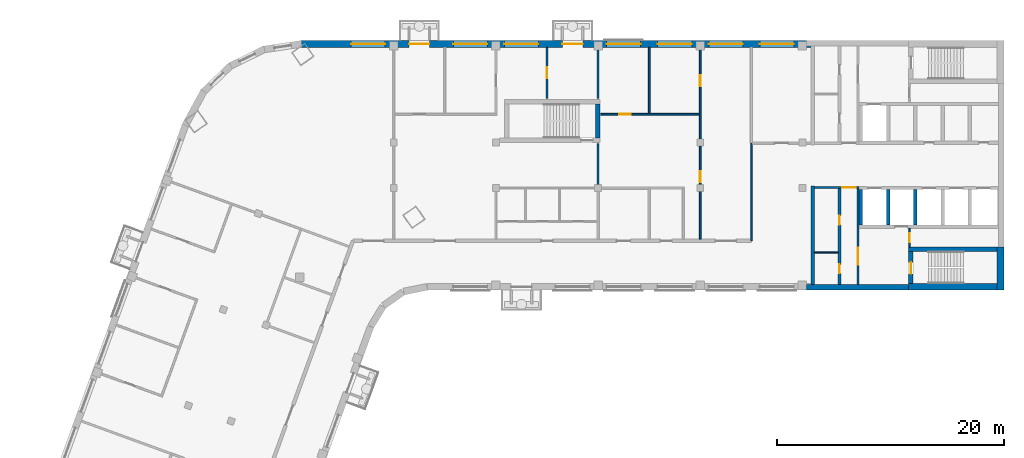
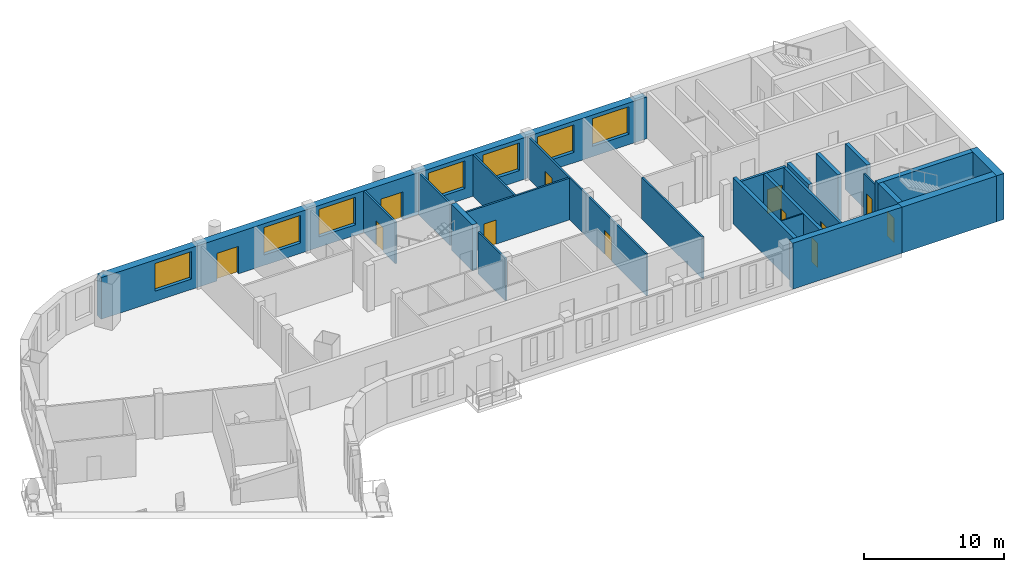
# One storey, part 5 of 10: 23 walls, 12 doors, 7 windows, 19 openings.
"""IFC4 building model written with IfcOpenShell, lengths in metres."""

from ifc_helpers import new_model, si_unit, direction, frame, frame_2d, origin, place, context, subcontext, project, spatial, rectangle, extrude, material, layer, layer_set, type_object, element, fill, save


model = new_model("IFC4")

# Units and contexts
model_context = context("Model", 3, precision=1e-05, world=origin(), true_north=direction((0.0, 1.0)))
body_context = subcontext(model_context, "Body", "Model", "MODEL_VIEW")
ifc_project = project(units=[si_unit("LENGTHUNIT", "METRE"), si_unit("AREAUNIT", "SQUARE_METRE"), si_unit("VOLUMEUNIT", "CUBIC_METRE"), si_unit("PLANEANGLEUNIT", "RADIAN"), si_unit("MASSUNIT", "GRAM", prefix="KILO")], contexts=[model_context])

# Site, building, storey
site_placement = place(None, origin())
site = spatial("IfcSite", under=ifc_project, at=site_placement, CompositionType="ELEMENT")
building_placement = place(site_placement, origin())
building = spatial("IfcBuilding", under=site, at=building_placement, Name="Skarvind Civic Tower", CompositionType="ELEMENT")
storey_placement = place(building_placement, frame((0.0, 0.0, 228.0)))
storey = spatial("IfcBuildingStorey", under=building, at=storey_placement, Name="L54", CompositionType="ELEMENT", Elevation=228.0)

# Wall, opening, door
ifc_material_1 = material(Name="Fire-rated masonry partition", Category="masonry")
ifc_layer_1 = layer(ifc_material_1, 0.199951171875)
ifc_layer_set_1 = layer_set([ifc_layer_1], Name="Core enclosure wall 200")
wall_type_1 = type_object("IfcWallType", Name="Core enclosure wall 200", PredefinedType="PARTITIONING", material=ifc_layer_set_1)
wall_1_placement = place(storey_placement, frame((95.25, 126.050048828125, 0.0), z_axis=(0.0, 0.0, 1.0), x_axis=(-1.0, 0.0, 0.0)))
wall_1 = element("IfcWall", 1, at=wall_1_placement, inside=storey, type_object=wall_type_1, Name="Core wall C1", PredefinedType="PARTITIONING", context=body_context, shape_type="SweptSolid", body=[
    extrude(rectangle(XDim=3.949951171875, YDim=0.199951171875, at=frame_2d((1.97509765625, 0.0))), origin(), (0.0, 0.0, 1.0), 3.625),
])
opening_1_placement = place(wall_1_placement, frame((0.300048828125, 0.0, 0.0)))
opening_1 = element("IfcOpeningElement", 2, at=opening_1_placement, cuts=wall_1, Name="Opening D-L54-C1-07", PredefinedType="OPENING", context=body_context, shape_type="SweptSolid", body=[
    extrude(rectangle(XDim=1.199951171875, YDim=2.10009765625, at=frame_2d((0.60009765625, 1.050048828125))), frame((0.0, 0.10986328125, 0.0), z_axis=(0.0, -1.0, 0.0), x_axis=(1.0, 0.0, 0.0)), (0.0, 0.0, 1.0), 0.219970703125),
])
ifc_material_2 = material(Name="Fire-rated steel door", Category="steel")
door_type_1 = type_object("IfcDoorType", Name="Core lobby door 1200", OperationType="NOTDEFINED", PredefinedType="DOOR", material=ifc_material_2)
door_1_placement = place(opening_1_placement, origin())
door_1 = element("IfcDoor", 3, at=door_1_placement, inside=storey, type_object=door_type_1, Name="Fire door", OperationType="DOUBLE_DOOR_SINGLE_SWING", OverallHeight=2.10009765625, OverallWidth=1.199951171875, PredefinedType="DOOR", context=body_context, shape_type="SweptSolid", body=[
    extrude(rectangle(XDim=1.199951171875, YDim=2.10009765625, at=frame_2d((0.60009765625, 1.050048828125))), frame((0.0, 0.02490234375, 0.0), z_axis=(0.0, -1.0, 0.0), x_axis=(1.0, 0.0, 0.0)), (0.0, 0.0, 1.0), 0.050048828125),
])
fill(opening_1, door_1)

wall_2_placement = place(storey_placement, frame((95.14990234375, 117.5, 0.0), z_axis=(0.0, 0.0, 1.0), x_axis=(0.0, 1.0, 0.0)))
wall_2 = element("IfcWall", 4, at=wall_2_placement, inside=storey, type_object=wall_type_1, Name="Core wall C1", PredefinedType="PARTITIONING", context=body_context, shape_type="SweptSolid", body=[
    extrude(rectangle(XDim=8.449951171875, YDim=0.199951171875, at=frame_2d((4.22509765625, 0.0))), origin(), (0.0, 0.0, 1.0), 3.625),
])
opening_2_placement = place(wall_2_placement, frame((1.72509765625, 0.0, 0.0)))
opening_2 = element("IfcOpeningElement", 5, at=opening_2_placement, cuts=wall_2, Name="Opening D-L54-C1-08", PredefinedType="OPENING", context=body_context, shape_type="SweptSolid", body=[
    extrude(rectangle(XDim=1.5, YDim=2.10009765625, at=frame_2d((0.75, 1.050048828125))), frame((0.0, 0.10986328125, 0.0), z_axis=(0.0, -1.0, 0.0), x_axis=(1.0, 0.0, 0.0)), (0.0, 0.0, 1.0), 0.219970703125),
])
door_type_2 = type_object("IfcDoorType", Name="Fire door 1500", OperationType="NOTDEFINED", PredefinedType="DOOR", material=ifc_material_2)
door_2_placement = place(opening_2_placement, origin())
door_2 = element("IfcDoor", 6, at=door_2_placement, inside=storey, type_object=door_type_2, Name="Fire door", OperationType="DOUBLE_DOOR_SINGLE_SWING", OverallHeight=2.10009765625, OverallWidth=1.5, PredefinedType="DOOR", context=body_context, shape_type="SweptSolid", body=[
    extrude(rectangle(XDim=1.5, YDim=2.10009765625, at=frame_2d((0.75, 1.050048828125))), frame((0.0, 0.02490234375, 0.0), z_axis=(0.0, -1.0, 0.0), x_axis=(1.0, 0.0, 0.0)), (0.0, 0.0, 1.0), 0.050048828125),
])
fill(opening_2, door_2)

# Walls
ifc_material_3 = material(Name="Fire-rated plasterboard partition")
ifc_layer_2 = layer(ifc_material_3, 0.10009765625)
ifc_layer_set_2 = layer_set([ifc_layer_2], Name="Core partition wall 100")
wall_type_2 = type_object("IfcWallType", Name="Core partition wall 100", PredefinedType="PARTITIONING", material=ifc_layer_set_2)
wall_3_placement = place(storey_placement, frame((93.39990234375, 120.320068359375, 0.0), z_axis=(0.0, 0.0, 1.0), x_axis=(-1.0, 0.0, 0.0)))
element("IfcWall", 7, at=wall_3_placement, inside=storey, type_object=wall_type_2, Name="Core wall C1", PredefinedType="PARTITIONING", context=body_context, shape_type="SweptSolid", body=[
    extrude(rectangle(XDim=2.099853515625, YDim=0.10009765625, at=frame_2d((1.0498046875, 0.0))), origin(), (0.0, 0.0, 1.0), 3.625),
])
ifc_material_4 = material(Name="Concrete C60", Category="concrete")
ifc_layer_3 = layer(ifc_material_4, 0.300048828125)
ifc_layer_set_3 = layer_set([ifc_layer_3], Name="Core wall 300 C60")
wall_type_3 = type_object("IfcWallType", Name="Core wall 300 C60", PredefinedType="SHEAR", material=ifc_layer_set_3)
for number, where, z_axis, x_axis, name in (
    (8, (100.199951171875, 125.85009765625, 0.0), (0.0, 0.0, 1.0), (0.0, -1.0, 0.0), "Core wall C1 north lift row division 3 L54"),
    (9, (97.800048828125, 125.85009765625, 0.0), (0.0, 0.0, 1.0), (0.0, -1.0, 0.0), "Core wall C1 north lift row division 4 L54"),
    (10, (95.39990234375, 125.85009765625, 0.0), (0.0, 0.0, 1.0), (0.0, -1.0, 0.0), "Core wall C1 north lift row division 5 L54"),
):
    element("IfcWall", number, at=place(storey_placement, frame(where, z_axis=z_axis, x_axis=x_axis)), inside=storey, type_object=wall_type_3, Name=name, PredefinedType="SHEAR", context=body_context, shape_type="SweptSolid", body=[
        extrude(rectangle(XDim=3.10009765625, YDim=0.300048828125, at=frame_2d((1.550048828125, 0.0))), origin(), (0.0, 0.0, 1.0), 4.0),
    ])
wall_4_placement = place(storey_placement, frame((91.14990234375, 126.199951171875, 0.0), z_axis=(0.0, 0.0, 1.0), x_axis=(0.0, -1.0, 0.0)))
element("IfcWall", 11, at=wall_4_placement, inside=storey, type_object=wall_type_3, Name="Core wall C1 north inner face L54", PredefinedType="SHEAR", context=body_context, shape_type="SweptSolid", body=[
    extrude(rectangle(XDim=8.699951171875, YDim=0.300048828125, at=frame_2d((4.35009765625, 0.0))), origin(), (0.0, 0.0, 1.0), 4.0),
])
ifc_layer_4 = layer(ifc_material_4, 0.39990234375)
ifc_layer_set_4 = layer_set([ifc_layer_4], Name="Core wall 400 C60")
wall_type_4 = type_object("IfcWallType", Name="Core wall 400 C60", PredefinedType="SHEAR", material=ifc_layer_set_4)
wall_5_placement = place(storey_placement, frame((107.39990234375, 120.60009765625, 0.0), z_axis=(0.0, 0.0, 1.0), x_axis=(-1.0, 0.0, 0.0)))
element("IfcWall", 12, at=wall_5_placement, inside=storey, type_object=wall_type_4, Name="Core wall C1 north stair inner L54", PredefinedType="SHEAR", context=body_context, shape_type="SweptSolid", body=[
    extrude(rectangle(XDim=7.7998046875, YDim=0.39990234375, at=frame_2d((3.89990234375, 0.0))), origin(), (0.0, 0.0, 1.0), 4.0),
])

# Wall, opening, door
wall_6_placement = place(storey_placement, frame((99.800048828125, 120.39990234375, 0.0), z_axis=(0.0, 0.0, 1.0), x_axis=(0.0, -1.0, 0.0)))
wall_6 = element("IfcWall", 13, at=wall_6_placement, inside=storey, type_object=wall_type_4, Name="Core wall C1 north stair end L54", PredefinedType="SHEAR", context=body_context, shape_type="SweptSolid", body=[
    extrude(rectangle(XDim=2.7998046875, YDim=0.39990234375, at=frame_2d((1.39990234375, 0.0))), origin(), (0.0, 0.0, 1.0), 4.0),
])
opening_3_placement = place(wall_6_placement, frame((0.949951171875, 0.0, 0.0)))
opening_3 = element("IfcOpeningElement", 14, at=opening_3_placement, cuts=wall_6, Name="Opening D-L54-C1-09", PredefinedType="OPENING", context=body_context, shape_type="SweptSolid", body=[
    extrude(rectangle(XDim=1.0, YDim=2.10009765625, at=frame_2d((0.5, 1.050048828125))), frame((0.0, 0.2099609375, 0.0), z_axis=(0.0, -1.0, 0.0), x_axis=(1.0, 0.0, 0.0)), (0.0, 0.0, 1.0), 0.419921875),
])
door_type_3 = type_object("IfcDoorType", Name="Fire door 1000", OperationType="NOTDEFINED", PredefinedType="DOOR", material=ifc_material_2)
door_3_placement = place(opening_3_placement, origin())
door_3 = element("IfcDoor", 15, at=door_3_placement, inside=storey, type_object=door_type_3, Name="Fire door", OperationType="SINGLE_SWING_LEFT", OverallHeight=2.10009765625, OverallWidth=1.0, PredefinedType="DOOR", context=body_context, shape_type="SweptSolid", body=[
    extrude(rectangle(XDim=1.0, YDim=2.10009765625, at=frame_2d((0.5, 1.050048828125))), frame((0.0, 0.02490234375, 0.0), z_axis=(0.0, -1.0, 0.0), x_axis=(1.0, 0.0, 0.0)), (0.0, 0.0, 1.0), 0.050048828125),
])
fill(opening_3, door_3)

# Walls
wall_7_placement = place(storey_placement, frame((72.199951171875, 130.39990234375, 0.0), z_axis=(0.0, 0.0, 1.0), x_axis=(0.0, 1.0, 0.0)))
element("IfcWall", 16, at=wall_7_placement, inside=storey, type_object=wall_type_4, Name="Core wall CM end L54", PredefinedType="SHEAR", context=body_context, shape_type="SweptSolid", body=[
    extrude(rectangle(XDim=3.0, YDim=0.39990234375, at=frame_2d((1.5, 0.0))), origin(), (0.0, 0.0, 1.0), 4.0),
])
ifc_layer_5 = layer(ifc_material_4, 0.5)
ifc_layer_set_5 = layer_set([ifc_layer_5], Name="Core wall 500 C60")
wall_type_5 = type_object("IfcWallType", Name="Core wall 500 C60", PredefinedType="SHEAR", material=ifc_layer_set_5)
wall_8_placement = place(storey_placement, frame((99.60009765625, 117.25, 0.0), z_axis=(0.0, 0.0, 1.0), x_axis=(-1.0, 0.0, 0.0)))
element("IfcWall", 17, at=wall_8_placement, inside=storey, type_object=wall_type_5, Name="Core wall C1 north side L54", PredefinedType="SHEAR", context=body_context, shape_type="SweptSolid", body=[
    extrude(rectangle(XDim=8.97509765625, YDim=0.5, at=frame_2d((4.487548828125, 0.0))), origin(), (0.0, 0.0, 1.0), 4.0),
])
ifc_layer_6 = layer(ifc_material_4, 0.60009765625)
ifc_layer_set_6 = layer_set([ifc_layer_6], Name="Core wall 600 C60")
wall_type_6 = type_object("IfcWallType", Name="Core wall 600 C60", PredefinedType="SHEAR", material=ifc_layer_set_6)
wall_9_placement = place(storey_placement, frame((107.699951171875, 120.800048828125, 0.0), z_axis=(0.0, 0.0, 1.0), x_axis=(0.0, -1.0, 0.0)))
element("IfcWall", 18, at=wall_9_placement, inside=storey, type_object=wall_type_6, Name="Core wall C1 tip at the north stair L54", PredefinedType="SHEAR", context=body_context, shape_type="SweptSolid", body=[
    extrude(rectangle(XDim=3.800048828125, YDim=0.60009765625, at=frame_2d((1.89990234375, 0.0))), origin(), (0.0, 0.0, 1.0), 4.0),
])
wall_10_placement = place(storey_placement, frame((107.39990234375, 117.300048828125, 0.0), z_axis=(0.0, 0.0, 1.0), x_axis=(-1.0, 0.0, 0.0)))
element("IfcWall", 19, at=wall_10_placement, inside=storey, type_object=wall_type_6, Name="Core wall C1 north side at the stair L54", PredefinedType="SHEAR", context=body_context, shape_type="SweptSolid", body=[
    extrude(rectangle(XDim=7.7998046875, YDim=0.60009765625, at=frame_2d((3.89990234375, 0.0))), origin(), (0.0, 0.0, 1.0), 4.0),
])

# Wall, opening, door
ifc_material_5 = material(Name="Plasterboard partition on steel studs", Category="steel")
ifc_layer_7 = layer(ifc_material_5, 0.14990234375)
ifc_layer_set_7 = layer_set([ifc_layer_7], Name="PARTITION 150")
wall_type_7 = type_object("IfcWallType", Name="PARTITION 150", PredefinedType="PARTITIONING", material=ifc_layer_set_7)
wall_11_placement = place(storey_placement, frame((67.75, 133.89990234375, 0.0), z_axis=(0.0, 0.0, 1.0), x_axis=(0.0, 1.0, 0.0)))
wall_11 = element("IfcWall", 20, at=wall_11_placement, inside=storey, type_object=wall_type_7, Name="Partition 54.025", PredefinedType="PARTITIONING", context=body_context, shape_type="SweptSolid", body=[
    extrude(rectangle(XDim=4.5, YDim=0.14990234375, at=frame_2d((2.25, 0.0))), origin(), (0.0, 0.0, 1.0), 3.625),
])
opening_4_placement = place(wall_11_placement, frame((1.75, 0.0, 0.0)))
opening_4 = element("IfcOpeningElement", 21, at=opening_4_placement, cuts=wall_11, Name="Opening L54-D011", PredefinedType="OPENING", context=body_context, shape_type="SweptSolid", body=[
    extrude(rectangle(XDim=1.0, YDim=2.10009765625, at=frame_2d((0.5, 1.050048828125))), frame((0.0, 0.0849609375, 0.0), z_axis=(0.0, -1.0, 0.0), x_axis=(1.0, 0.0, 0.0)), (0.0, 0.0, 1.0), 0.169921875),
])
ifc_material_6 = material(Name="Timber door leaf", Category="wood")
door_type_4 = type_object("IfcDoorType", Name="D1 1000x2100", OperationType="NOTDEFINED", PredefinedType="DOOR", material=ifc_material_6)
door_4_placement = place(opening_4_placement, origin())
door_4 = element("IfcDoor", 22, at=door_4_placement, inside=storey, type_object=door_type_4, Name="Door L54-D011", OperationType="SINGLE_SWING_LEFT", OverallHeight=2.10009765625, OverallWidth=1.0, PredefinedType="DOOR", context=body_context, shape_type="SweptSolid", body=[
    extrude(rectangle(XDim=1.0, YDim=2.10009765625, at=frame_2d((0.5, 1.050048828125))), frame((0.0, 0.02490234375, 0.0), z_axis=(0.0, -1.0, 0.0), x_axis=(1.0, 0.0, 0.0)), (0.0, 0.0, 1.0), 0.050048828125),
])
fill(opening_4, door_4)

# Walls
wall_12_placement = place(storey_placement, frame((72.25, 126.0, 0.0), z_axis=(0.0, 0.0, 1.0), x_axis=(0.0, 1.0, 0.0)))
element("IfcWall", 23, at=wall_12_placement, inside=storey, type_object=wall_type_7, Name="Partition 54.028", PredefinedType="PARTITIONING", context=body_context, shape_type="SweptSolid", body=[
    extrude(rectangle(XDim=3.89990234375, YDim=0.14990234375, at=frame_2d((1.949951171875, 0.0))), origin(), (0.0, 0.0, 1.0), 3.625),
])
wall_13_placement = place(storey_placement, frame((72.25, 133.89990234375, 0.0), z_axis=(0.0, 0.0, 1.0), x_axis=(0.0, 1.0, 0.0)))
element("IfcWall", 24, at=wall_13_placement, inside=storey, type_object=wall_type_7, Name="Partition 54.030", PredefinedType="PARTITIONING", context=body_context, shape_type="SweptSolid", body=[
    extrude(rectangle(XDim=4.5, YDim=0.14990234375, at=frame_2d((2.25, 0.0))), origin(), (0.0, 0.0, 1.0), 3.625),
])

# Wall, opening, door
wall_14_placement = place(storey_placement, frame((81.175048828125, 132.5, 0.0), z_axis=(0.0, 0.0, 1.0), x_axis=(-1.0, 0.0, 0.0)))
wall_14 = element("IfcWall", 25, at=wall_14_placement, inside=storey, type_object=wall_type_7, Name="Partition 54.031", PredefinedType="PARTITIONING", context=body_context, shape_type="SweptSolid", body=[
    extrude(rectangle(XDim=8.675048828125, YDim=0.14990234375, at=frame_2d((4.33740234375, 0.0))), origin(), (0.0, 0.0, 1.0), 3.625),
])
opening_5_placement = place(wall_14_placement, frame((6.050048828125, 0.0, 0.0)))
opening_5 = element("IfcOpeningElement", 26, at=opening_5_placement, cuts=wall_14, Name="Opening L54-D005", PredefinedType="OPENING", context=body_context, shape_type="SweptSolid", body=[
    extrude(rectangle(XDim=1.0, YDim=2.10009765625, at=frame_2d((0.5, 1.050048828125))), frame((0.0, 0.0849609375, 0.0), z_axis=(0.0, -1.0, 0.0), x_axis=(1.0, 0.0, 0.0)), (0.0, 0.0, 1.0), 0.169921875),
])
door_5_placement = place(opening_5_placement, origin())
door_5 = element("IfcDoor", 27, at=door_5_placement, inside=storey, type_object=door_type_4, Name="Door L54-D005", OperationType="SINGLE_SWING_RIGHT", OverallHeight=2.10009765625, OverallWidth=1.0, PredefinedType="DOOR", context=body_context, shape_type="SweptSolid", body=[
    extrude(rectangle(XDim=1.0, YDim=2.10009765625, at=frame_2d((0.5, 1.050048828125))), frame((0.0, 0.02490234375, 0.0), z_axis=(0.0, -1.0, 0.0), x_axis=(1.0, 0.0, 0.0)), (0.0, 0.0, 1.0), 0.050048828125),
])
fill(opening_5, door_5)

# Wall
wall_15_placement = place(storey_placement, frame((76.75, 132.574951171875, 0.0), z_axis=(0.0, 0.0, 1.0), x_axis=(0.0, 1.0, 0.0)))
element("IfcWall", 28, at=wall_15_placement, inside=storey, type_object=wall_type_7, Name="Partition 54.033", PredefinedType="PARTITIONING", context=body_context, shape_type="SweptSolid", body=[
    extrude(rectangle(XDim=5.824951171875, YDim=0.14990234375, at=frame_2d((2.91259765625, 0.0))), origin(), (0.0, 0.0, 1.0), 3.625),
])

# Wall, openings, doors
wall_16_placement = place(storey_placement, frame((81.25, 138.39990234375, 0.0), z_axis=(0.0, 0.0, 1.0), x_axis=(0.0, -1.0, 0.0)))
wall_16 = element("IfcWall", 29, at=wall_16_placement, inside=storey, type_object=wall_type_7, Name="Partition 54.036", PredefinedType="PARTITIONING", context=body_context, shape_type="SweptSolid", body=[
    extrude(rectangle(XDim=16.89990234375, YDim=0.14990234375, at=frame_2d((8.449951171875, 0.0))), origin(), (0.0, 0.0, 1.0), 3.625),
])
opening_6_placement = place(wall_16_placement, frame((2.449951171875, 0.0, 0.0)))
opening_6 = element("IfcOpeningElement", 30, at=opening_6_placement, cuts=wall_16, Name="Opening L54-D004", PredefinedType="OPENING", context=body_context, shape_type="SweptSolid", body=[
    extrude(rectangle(XDim=1.0, YDim=2.10009765625, at=frame_2d((0.5, 1.050048828125))), frame((0.0, 0.0849609375, 0.0), z_axis=(0.0, -1.0, 0.0), x_axis=(1.0, 0.0, 0.0)), (0.0, 0.0, 1.0), 0.169921875),
])
opening_7_placement = place(wall_16_placement, frame((10.909912109375, 0.0, 0.0)))
opening_7 = element("IfcOpeningElement", 31, at=opening_7_placement, cuts=wall_16, Name="Opening L54-D023", PredefinedType="OPENING", context=body_context, shape_type="SweptSolid", body=[
    extrude(rectangle(XDim=1.0, YDim=2.10009765625, at=frame_2d((0.5, 1.050048828125))), frame((0.0, 0.0849609375, 0.0), z_axis=(0.0, -1.0, 0.0), x_axis=(1.0, 0.0, 0.0)), (0.0, 0.0, 1.0), 0.169921875),
])
door_6_placement = place(opening_6_placement, origin())
door_6 = element("IfcDoor", 32, at=door_6_placement, inside=storey, type_object=door_type_4, Name="Door L54-D004", OperationType="SINGLE_SWING_LEFT", OverallHeight=2.10009765625, OverallWidth=1.0, PredefinedType="DOOR", context=body_context, shape_type="SweptSolid", body=[
    extrude(rectangle(XDim=1.0, YDim=2.10009765625, at=frame_2d((0.5, 1.050048828125))), frame((0.0, 0.02490234375, 0.0), z_axis=(0.0, -1.0, 0.0), x_axis=(1.0, 0.0, 0.0)), (0.0, 0.0, 1.0), 0.050048828125),
])
fill(opening_6, door_6)
door_7_placement = place(opening_7_placement, origin())
door_7 = element("IfcDoor", 33, at=door_7_placement, inside=storey, type_object=door_type_4, Name="Door L54-D023", OperationType="SINGLE_SWING_RIGHT", OverallHeight=2.10009765625, OverallWidth=1.0, PredefinedType="DOOR", context=body_context, shape_type="SweptSolid", body=[
    extrude(rectangle(XDim=1.0, YDim=2.10009765625, at=frame_2d((0.5, 1.050048828125))), frame((0.0, 0.02490234375, 0.0), z_axis=(0.0, -1.0, 0.0), x_axis=(1.0, 0.0, 0.0)), (0.0, 0.0, 1.0), 0.050048828125),
])
fill(opening_7, door_7)

# Wall
wall_17_placement = place(storey_placement, frame((85.75, 121.35009765625, 0.0), z_axis=(0.0, 0.0, 1.0), x_axis=(0.0, 1.0, 0.0)))
element("IfcWall", 34, at=wall_17_placement, inside=storey, type_object=wall_type_7, Name="Partition 54.037", PredefinedType="PARTITIONING", context=body_context, shape_type="SweptSolid", body=[
    extrude(rectangle(XDim=8.599853515625, YDim=0.14990234375, at=frame_2d((4.2998046875, 0.0))), origin(), (0.0, 0.0, 1.0), 3.625),
])

# Wall, opening, door
ifc_layer_8 = layer(ifc_material_1, 0.125)
ifc_layer_set_8 = layer_set([ifc_layer_8], Name="Riser wall 125")
wall_type_8 = type_object("IfcWallType", Name="Riser wall 125", PredefinedType="PARTITIONING", material=ifc_layer_set_8)
wall_18_placement = place(storey_placement, frame((99.66259765625, 120.800048828125, 0.0), z_axis=(0.0, 0.0, 1.0), x_axis=(0.0, 1.0, 0.0)))
wall_18 = element("IfcWall", 35, at=wall_18_placement, inside=storey, type_object=wall_type_8, Name="Core wall C1", PredefinedType="PARTITIONING", context=body_context, shape_type="SweptSolid", body=[
    extrude(rectangle(XDim=1.64990234375, YDim=0.125, at=frame_2d((0.824951171875, 0.0))), origin(), (0.0, 0.0, 1.0), 3.625),
])
opening_8_placement = place(wall_18_placement, frame((0.425048828125, 0.0, 0.0)))
opening_8 = element("IfcOpeningElement", 36, at=opening_8_placement, cuts=wall_18, Name="Opening D-L54-C1-10", PredefinedType="OPENING", context=body_context, shape_type="SweptSolid", body=[
    extrude(rectangle(XDim=0.800048828125, YDim=2.10009765625, at=frame_2d((0.39990234375, 1.050048828125))), frame((0.0, 0.072509765625, 0.0), z_axis=(0.0, -1.0, 0.0), x_axis=(1.0, 0.0, 0.0)), (0.0, 0.0, 1.0), 0.14501953125),
])
door_type_5 = type_object("IfcDoorType", Name="Core riser door 800", OperationType="NOTDEFINED", PredefinedType="DOOR", material=ifc_material_2)
door_8_placement = place(opening_8_placement, origin())
door_8 = element("IfcDoor", 37, at=door_8_placement, inside=storey, type_object=door_type_5, Name="Riser door", OperationType="SINGLE_SWING_RIGHT", OverallHeight=2.10009765625, OverallWidth=0.800048828125, PredefinedType="DOOR", context=body_context, shape_type="SweptSolid", body=[
    extrude(rectangle(XDim=0.800048828125, YDim=2.10009765625, at=frame_2d((0.39990234375, 1.050048828125))), frame((0.0, 0.02490234375, 0.0), z_axis=(0.0, -1.0, 0.0), x_axis=(1.0, 0.0, 0.0)), (0.0, 0.0, 1.0), 0.050048828125),
])
fill(opening_8, door_8)

# Wall, openings, doors
ifc_layer_9 = layer(ifc_material_1, 0.25)
ifc_layer_set_9 = layer_set([ifc_layer_9], Name="Service block wall 250")
wall_type_9 = type_object("IfcWallType", Name="Service block wall 250", PredefinedType="PARTITIONING", material=ifc_layer_set_9)
wall_19_placement = place(storey_placement, frame((93.52490234375, 117.5, 0.0), z_axis=(0.0, 0.0, 1.0), x_axis=(0.0, 1.0, 0.0)))
wall_19 = element("IfcWall", 38, at=wall_19_placement, inside=storey, type_object=wall_type_9, Name="Core wall C1", PredefinedType="PARTITIONING", context=body_context, shape_type="SweptSolid", body=[
    extrude(rectangle(XDim=8.449951171875, YDim=0.25, at=frame_2d((4.22509765625, 0.0))), origin(), (0.0, 0.0, 1.0), 3.625),
])
opening_9_placement = place(wall_19_placement, frame((5.260009765625, 0.0, 0.0)))
opening_9 = element("IfcOpeningElement", 39, at=opening_9_placement, cuts=wall_19, Name="Opening D-L54-C1-11", PredefinedType="OPENING", context=body_context, shape_type="SweptSolid", body=[
    extrude(rectangle(XDim=0.800048828125, YDim=2.10009765625, at=frame_2d((0.39990234375, 1.050048828125))), frame((0.0, 0.135009765625, 0.0), z_axis=(0.0, -1.0, 0.0), x_axis=(1.0, 0.0, 0.0)), (0.0, 0.0, 1.0), 0.27001953125),
])
opening_10_placement = place(wall_19_placement, frame((0.985107421875, 0.0, 0.0)))
opening_10 = element("IfcOpeningElement", 40, at=opening_10_placement, cuts=wall_19, Name="Opening D-L54-C1-12", PredefinedType="OPENING", context=body_context, shape_type="SweptSolid", body=[
    extrude(rectangle(XDim=0.800048828125, YDim=2.10009765625, at=frame_2d((0.39990234375, 1.050048828125))), frame((0.0, 0.135009765625, 0.0), z_axis=(0.0, -1.0, 0.0), x_axis=(1.0, 0.0, 0.0)), (0.0, 0.0, 1.0), 0.27001953125),
])
door_9_placement = place(opening_9_placement, origin())
door_9 = element("IfcDoor", 41, at=door_9_placement, inside=storey, type_object=door_type_5, Name="Riser door", OperationType="SINGLE_SWING_LEFT", OverallHeight=2.10009765625, OverallWidth=0.800048828125, PredefinedType="DOOR", context=body_context, shape_type="SweptSolid", body=[
    extrude(rectangle(XDim=0.800048828125, YDim=2.10009765625, at=frame_2d((0.39990234375, 1.050048828125))), frame((0.0, 0.02490234375, 0.0), z_axis=(0.0, -1.0, 0.0), x_axis=(1.0, 0.0, 0.0)), (0.0, 0.0, 1.0), 0.050048828125),
])
fill(opening_9, door_9)
door_10_placement = place(opening_10_placement, origin())
door_10 = element("IfcDoor", 42, at=door_10_placement, inside=storey, type_object=door_type_5, Name="Riser door", OperationType="SINGLE_SWING_RIGHT", OverallHeight=2.10009765625, OverallWidth=0.800048828125, PredefinedType="DOOR", context=body_context, shape_type="SweptSolid", body=[
    extrude(rectangle(XDim=0.800048828125, YDim=2.10009765625, at=frame_2d((0.39990234375, 1.050048828125))), frame((0.0, 0.02490234375, 0.0), z_axis=(0.0, -1.0, 0.0), x_axis=(1.0, 0.0, 0.0)), (0.0, 0.0, 1.0), 0.050048828125),
])
fill(opening_10, door_10)

# Wall, openings, doors, windows
ifc_material_7 = material(Name="Limestone masonry cladding on insulated backing", Category="masonry")
ifc_layer_10 = layer(ifc_material_7, 0.60009765625)
ifc_layer_set_10 = layer_set([ifc_layer_10], Name="WX1 STONE FACADE WALL 600")
wall_type_10 = type_object("IfcWallType", Name="WX1 STONE FACADE WALL 600", PredefinedType="SOLIDWALL", material=ifc_layer_set_10)
wall_20_placement = place(storey_placement, frame((46.095458984375, 138.699951171875, 0.0), z_axis=(0.0, 0.0, 1.0), x_axis=(1.0, 0.0, 0.0)))
wall_20 = element("IfcWall", 43, at=wall_20_placement, inside=storey, type_object=wall_type_10, Name="STONE FACADE WALL", PredefinedType="SOLIDWALL", context=body_context, shape_type="SweptSolid", body=[
    extrude(rectangle(XDim=44.884521484375, YDim=0.60009765625, at=frame_2d((22.4423828125, 0.0))), origin(), (0.0, 0.0, 1.0), 3.625),
])
opening_11_placement = place(wall_20_placement, frame((4.404541015625, 0.0, 0.89990234375)))
opening_11 = element("IfcOpeningElement", 44, at=opening_11_placement, cuts=wall_20, Name="Opening WN1", PredefinedType="OPENING", context=body_context, shape_type="SweptSolid", body=[
    extrude(rectangle(XDim=3.0, YDim=2.39990234375, at=frame_2d((1.5, 1.199951171875))), frame((0.0, 0.31005859375, 0.0), z_axis=(0.0, -1.0, 0.0), x_axis=(1.0, 0.0, 0.0)), (0.0, 0.0, 1.0), 0.6201171875),
])
opening_12_placement = place(wall_20_placement, frame((9.50439453125, 0.0, 0.0)))
opening_12 = element("IfcOpeningElement", 45, at=opening_12_placement, cuts=wall_20, Name="Opening DX3", PredefinedType="OPENING", context=body_context, shape_type="SweptSolid", body=[
    extrude(rectangle(XDim=1.800048828125, YDim=2.39990234375, at=frame_2d((0.89990234375, 1.199951171875))), frame((0.0, 0.31005859375, 0.0), z_axis=(0.0, -1.0, 0.0), x_axis=(1.0, 0.0, 0.0)), (0.0, 0.0, 1.0), 0.6201171875),
])
opening_13_placement = place(wall_20_placement, frame((13.404541015625, 0.0, 0.89990234375)))
opening_13 = element("IfcOpeningElement", 46, at=opening_13_placement, cuts=wall_20, Name="Opening WN1", PredefinedType="OPENING", context=body_context, shape_type="SweptSolid", body=[
    extrude(rectangle(XDim=3.0, YDim=2.39990234375, at=frame_2d((1.5, 1.199951171875))), frame((0.0, 0.31005859375, 0.0), z_axis=(0.0, -1.0, 0.0), x_axis=(1.0, 0.0, 0.0)), (0.0, 0.0, 1.0), 0.6201171875),
])
opening_14_placement = place(wall_20_placement, frame((17.904541015625, 0.0, 0.89990234375)))
opening_14 = element("IfcOpeningElement", 47, at=opening_14_placement, cuts=wall_20, Name="Opening WN1", PredefinedType="OPENING", context=body_context, shape_type="SweptSolid", body=[
    extrude(rectangle(XDim=3.0, YDim=2.39990234375, at=frame_2d((1.5, 1.199951171875))), frame((0.0, 0.31005859375, 0.0), z_axis=(0.0, -1.0, 0.0), x_axis=(1.0, 0.0, 0.0)), (0.0, 0.0, 1.0), 0.6201171875),
])
opening_15_placement = place(wall_20_placement, frame((23.00439453125, 0.0, 0.0)))
opening_15 = element("IfcOpeningElement", 48, at=opening_15_placement, cuts=wall_20, Name="Opening DX3", PredefinedType="OPENING", context=body_context, shape_type="SweptSolid", body=[
    extrude(rectangle(XDim=1.800048828125, YDim=2.39990234375, at=frame_2d((0.89990234375, 1.199951171875))), frame((0.0, 0.31005859375, 0.0), z_axis=(0.0, -1.0, 0.0), x_axis=(1.0, 0.0, 0.0)), (0.0, 0.0, 1.0), 0.6201171875),
])
opening_16_placement = place(wall_20_placement, frame((26.904541015625, 0.0, 0.89990234375)))
opening_16 = element("IfcOpeningElement", 49, at=opening_16_placement, cuts=wall_20, Name="Opening WN1", PredefinedType="OPENING", context=body_context, shape_type="SweptSolid", body=[
    extrude(rectangle(XDim=3.0, YDim=2.39990234375, at=frame_2d((1.5, 1.199951171875))), frame((0.0, 0.31005859375, 0.0), z_axis=(0.0, -1.0, 0.0), x_axis=(1.0, 0.0, 0.0)), (0.0, 0.0, 1.0), 0.6201171875),
])
opening_17_placement = place(wall_20_placement, frame((31.404541015625, 0.0, 0.89990234375)))
opening_17 = element("IfcOpeningElement", 50, at=opening_17_placement, cuts=wall_20, Name="Opening WN1", PredefinedType="OPENING", context=body_context, shape_type="SweptSolid", body=[
    extrude(rectangle(XDim=3.0, YDim=2.39990234375, at=frame_2d((1.5, 1.199951171875))), frame((0.0, 0.31005859375, 0.0), z_axis=(0.0, -1.0, 0.0), x_axis=(1.0, 0.0, 0.0)), (0.0, 0.0, 1.0), 0.6201171875),
])
opening_18_placement = place(wall_20_placement, frame((35.904541015625, 0.0, 0.89990234375)))
opening_18 = element("IfcOpeningElement", 51, at=opening_18_placement, cuts=wall_20, Name="Opening WN1", PredefinedType="OPENING", context=body_context, shape_type="SweptSolid", body=[
    extrude(rectangle(XDim=3.0, YDim=2.39990234375, at=frame_2d((1.5, 1.199951171875))), frame((0.0, 0.31005859375, 0.0), z_axis=(0.0, -1.0, 0.0), x_axis=(1.0, 0.0, 0.0)), (0.0, 0.0, 1.0), 0.6201171875),
])
opening_19_placement = place(wall_20_placement, frame((40.404541015625, 0.0, 0.89990234375)))
opening_19 = element("IfcOpeningElement", 52, at=opening_19_placement, cuts=wall_20, Name="Opening WN1", PredefinedType="OPENING", context=body_context, shape_type="SweptSolid", body=[
    extrude(rectangle(XDim=3.0, YDim=2.39990234375, at=frame_2d((1.5, 1.199951171875))), frame((0.0, 0.31005859375, 0.0), z_axis=(0.0, -1.0, 0.0), x_axis=(1.0, 0.0, 0.0)), (0.0, 0.0, 1.0), 0.6201171875),
])
ifc_material_8 = material(Name="Timber and glass doorset", Category="wood")
door_type_6 = type_object("IfcDoorType", Name="DX3 TERRACE DOORS 1800 x 2400", OperationType="NOTDEFINED", PredefinedType="DOOR", material=ifc_material_8)
door_11_placement = place(opening_12_placement, origin())
door_11 = element("IfcDoor", 53, at=door_11_placement, inside=storey, type_object=door_type_6, Name="TERRACE DOORS", OperationType="DOUBLE_DOOR_SINGLE_SWING", OverallHeight=2.39990234375, OverallWidth=1.800048828125, PredefinedType="DOOR", context=body_context, shape_type="SweptSolid", body=[
    extrude(rectangle(XDim=1.800048828125, YDim=2.39990234375, at=frame_2d((0.89990234375, 1.199951171875))), frame((0.0, 0.02490234375, 0.0), z_axis=(0.0, -1.0, 0.0), x_axis=(1.0, 0.0, 0.0)), (0.0, 0.0, 1.0), 0.050048828125),
])
fill(opening_12, door_11)
door_12_placement = place(opening_15_placement, origin())
door_12 = element("IfcDoor", 54, at=door_12_placement, inside=storey, type_object=door_type_6, Name="TERRACE DOORS", OperationType="DOUBLE_DOOR_SINGLE_SWING", OverallHeight=2.39990234375, OverallWidth=1.800048828125, PredefinedType="DOOR", context=body_context, shape_type="SweptSolid", body=[
    extrude(rectangle(XDim=1.800048828125, YDim=2.39990234375, at=frame_2d((0.89990234375, 1.199951171875))), frame((0.0, 0.02490234375, 0.0), z_axis=(0.0, -1.0, 0.0), x_axis=(1.0, 0.0, 0.0)), (0.0, 0.0, 1.0), 0.050048828125),
])
fill(opening_15, door_12)
ifc_material_9 = material(Name="Timber frame, double glazing, timber-lined reveal", Category="wood")
window_type = type_object("IfcWindowType", Name="WN1 PUNCHED STONE WINDOW 3000 x 2400", PartitioningType="SINGLE_PANEL", PredefinedType="WINDOW", material=ifc_material_9)
window_1_placement = place(opening_11_placement, origin())
window_1 = element("IfcWindow", 55, at=window_1_placement, inside=storey, type_object=window_type, Name="WN1 WINDOW", OverallHeight=2.39990234375, OverallWidth=3.0, PartitioningType="SINGLE_PANEL", PredefinedType="WINDOW", context=body_context, shape_type="SweptSolid", body=[
    extrude(rectangle(XDim=3.0, YDim=2.39990234375, at=frame_2d((1.5, 1.199951171875))), frame((0.0, 0.030029296875, 0.0), z_axis=(0.0, -1.0, 0.0), x_axis=(1.0, 0.0, 0.0)), (0.0, 0.0, 1.0), 0.06005859375),
])
fill(opening_11, window_1)
window_2_placement = place(opening_13_placement, origin())
window_2 = element("IfcWindow", 56, at=window_2_placement, inside=storey, type_object=window_type, Name="WN1 WINDOW", OverallHeight=2.39990234375, OverallWidth=3.0, PartitioningType="SINGLE_PANEL", PredefinedType="WINDOW", context=body_context, shape_type="SweptSolid", body=[
    extrude(rectangle(XDim=3.0, YDim=2.39990234375, at=frame_2d((1.5, 1.199951171875))), frame((0.0, 0.030029296875, 0.0), z_axis=(0.0, -1.0, 0.0), x_axis=(1.0, 0.0, 0.0)), (0.0, 0.0, 1.0), 0.06005859375),
])
fill(opening_13, window_2)
window_3_placement = place(opening_14_placement, origin())
window_3 = element("IfcWindow", 57, at=window_3_placement, inside=storey, type_object=window_type, Name="WN1 WINDOW", OverallHeight=2.39990234375, OverallWidth=3.0, PartitioningType="SINGLE_PANEL", PredefinedType="WINDOW", context=body_context, shape_type="SweptSolid", body=[
    extrude(rectangle(XDim=3.0, YDim=2.39990234375, at=frame_2d((1.5, 1.199951171875))), frame((0.0, 0.030029296875, 0.0), z_axis=(0.0, -1.0, 0.0), x_axis=(1.0, 0.0, 0.0)), (0.0, 0.0, 1.0), 0.06005859375),
])
fill(opening_14, window_3)
window_4_placement = place(opening_16_placement, origin())
window_4 = element("IfcWindow", 58, at=window_4_placement, inside=storey, type_object=window_type, Name="WN1 WINDOW", OverallHeight=2.39990234375, OverallWidth=3.0, PartitioningType="SINGLE_PANEL", PredefinedType="WINDOW", context=body_context, shape_type="SweptSolid", body=[
    extrude(rectangle(XDim=3.0, YDim=2.39990234375, at=frame_2d((1.5, 1.199951171875))), frame((0.0, 0.030029296875, 0.0), z_axis=(0.0, -1.0, 0.0), x_axis=(1.0, 0.0, 0.0)), (0.0, 0.0, 1.0), 0.06005859375),
])
fill(opening_16, window_4)
window_5_placement = place(opening_17_placement, origin())
window_5 = element("IfcWindow", 59, at=window_5_placement, inside=storey, type_object=window_type, Name="WN1 WINDOW", OverallHeight=2.39990234375, OverallWidth=3.0, PartitioningType="SINGLE_PANEL", PredefinedType="WINDOW", context=body_context, shape_type="SweptSolid", body=[
    extrude(rectangle(XDim=3.0, YDim=2.39990234375, at=frame_2d((1.5, 1.199951171875))), frame((0.0, 0.030029296875, 0.0), z_axis=(0.0, -1.0, 0.0), x_axis=(1.0, 0.0, 0.0)), (0.0, 0.0, 1.0), 0.06005859375),
])
fill(opening_17, window_5)
window_6_placement = place(opening_18_placement, origin())
window_6 = element("IfcWindow", 60, at=window_6_placement, inside=storey, type_object=window_type, Name="WN1 WINDOW", OverallHeight=2.39990234375, OverallWidth=3.0, PartitioningType="SINGLE_PANEL", PredefinedType="WINDOW", context=body_context, shape_type="SweptSolid", body=[
    extrude(rectangle(XDim=3.0, YDim=2.39990234375, at=frame_2d((1.5, 1.199951171875))), frame((0.0, 0.030029296875, 0.0), z_axis=(0.0, -1.0, 0.0), x_axis=(1.0, 0.0, 0.0)), (0.0, 0.0, 1.0), 0.06005859375),
])
fill(opening_18, window_6)
window_7_placement = place(opening_19_placement, origin())
window_7 = element("IfcWindow", 61, at=window_7_placement, inside=storey, type_object=window_type, Name="WN1 WINDOW", OverallHeight=2.39990234375, OverallWidth=3.0, PartitioningType="SINGLE_PANEL", PredefinedType="WINDOW", context=body_context, shape_type="SweptSolid", body=[
    extrude(rectangle(XDim=3.0, YDim=2.39990234375, at=frame_2d((1.5, 1.199951171875))), frame((0.0, 0.030029296875, 0.0), z_axis=(0.0, -1.0, 0.0), x_axis=(1.0, 0.0, 0.0)), (0.0, 0.0, 1.0), 0.06005859375),
])
fill(opening_19, window_7)

save(model, "model.ifc")
